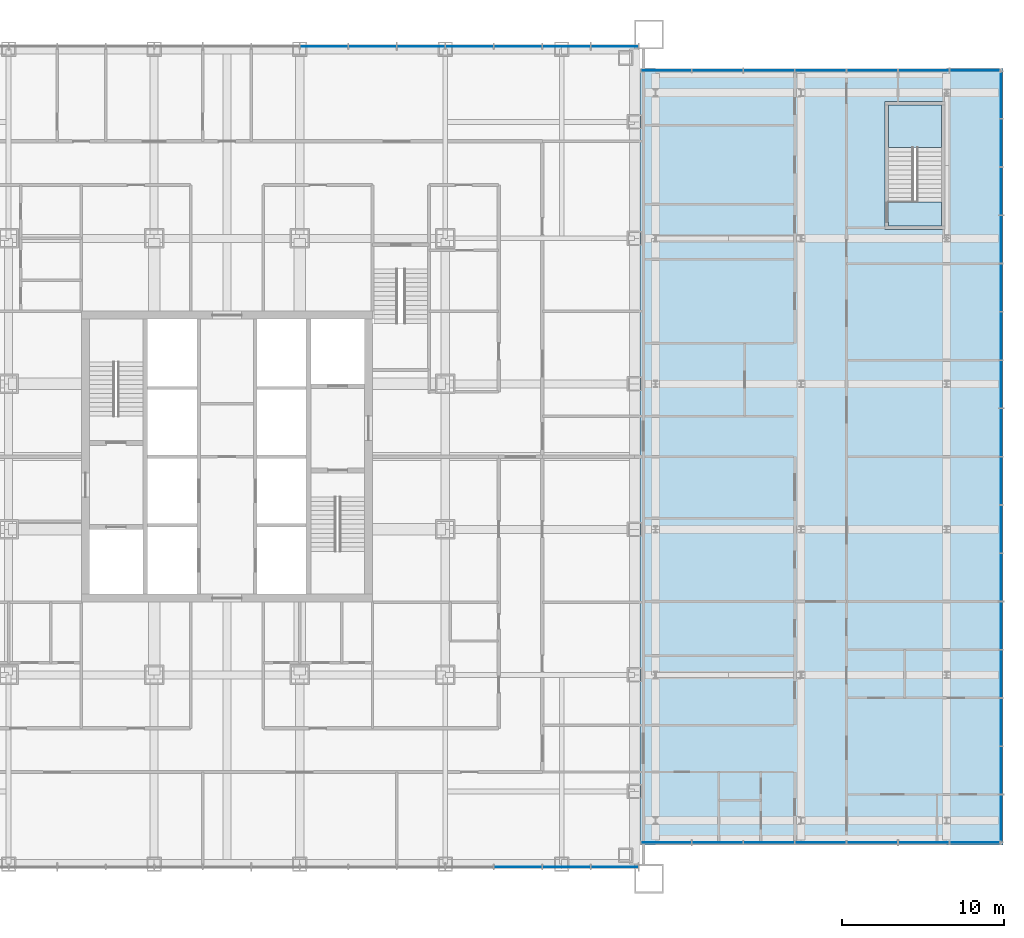
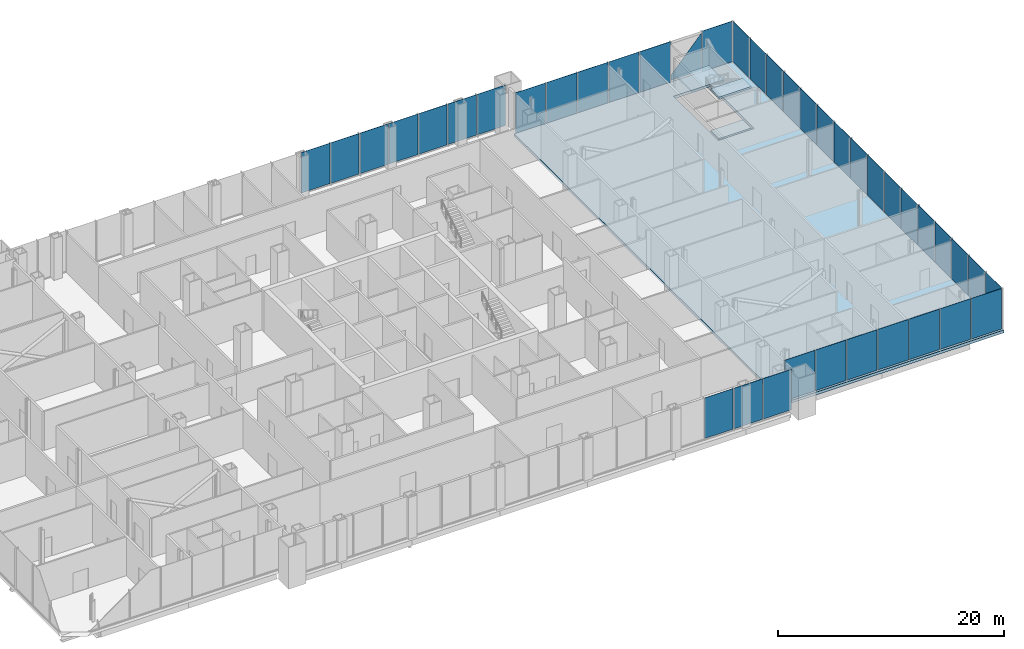
# One storey, part 14 of 25: 40 plates, 4 slabs, 6 elements without a shape of their own.
"""IFC4 building model written with IfcOpenShell, lengths in metres."""

import ifcopenshell
import ifcopenshell.guid

model = None  # the IFC model being written
_history = None  # IfcOwnerHistory: only IFC2X3 demands one
_inside = {}  # id of a spatial element -> (the spatial element, [elements in it])
_under = {}  # id of a project, library or spatial element -> (it, [spatial elements below it])
_declared = {}  # id of a project -> (the project, [libraries it declares])
_typed = {}  # id of a type object -> (the type object, [elements of that type])
_made_of = {}  # id of a material, layer set ... -> (it, [elements and type objects made of it])


def new_model(schema):
    """Start an empty IFC model of exactly this schema.

    Asked for "IFC4X3", IfcOpenShell would pick the latest addendum, in which some entities
    have other attributes; the version numbers below select the first issue.
    IFC2X3 requires an IfcOwnerHistory on every rooted entity: one is made here for all.
    """
    global model, _history
    if schema == "IFC4X3":
        model = ifcopenshell.file(schema_version=(4, 3, 0, 0))
    else:
        model = ifcopenshell.file(schema=schema)
    _inside.clear()
    _under.clear()
    _declared.clear()
    _typed.clear()
    _made_of.clear()
    _history = None
    if model.schema == "IFC2X3":
        org = make("IfcOrganization", Name="unknown")
        user = make(
            "IfcPersonAndOrganization",
            ThePerson=make("IfcPerson", FamilyName="unknown"),
            TheOrganization=org,
        )
        app = make(
            "IfcApplication",
            ApplicationDeveloper=org,
            Version="unknown",
            ApplicationFullName="unknown",
            ApplicationIdentifier="unknown",
        )
        _history = make(
            "IfcOwnerHistory",
            OwningUser=user,
            OwningApplication=app,
            ChangeAction="ADDED",
            CreationDate=0,
        )
    return model


def make(cls, **values):
    """One entity of the class cls with the attributes given. An attribute that is None is left unset."""
    return model.create_entity(
        cls, **{name: value for name, value in values.items() if value is not None}
    )


def rooted(cls, **values):
    """An entity with a GlobalId (a new one), such as an element, a storey or a relation."""
    return make(cls, GlobalId=ifcopenshell.guid.new(), OwnerHistory=_history, **values)


def si_unit(unit_type, name, prefix=None):
    """IfcSIUnit, for example si_unit("LENGTHUNIT", "METRE", prefix="MILLI")."""
    return make("IfcSIUnit", UnitType=unit_type, Prefix=prefix, Name=name)


def assignment(units):
    """IfcUnitAssignment: the units of a project."""
    return None if units is None else make("IfcUnitAssignment", Units=units)


def point(xyz):
    """IfcCartesianPoint."""
    return None if xyz is None else make("IfcCartesianPoint", Coordinates=xyz)


def direction(xyz):
    """IfcDirection."""
    return None if xyz is None else make("IfcDirection", DirectionRatios=xyz)


def frame(location, z_axis=None, x_axis=None):
    """IfcAxis2Placement3D, a coordinate frame: its origin and axes. An axis left out is left unset."""
    return make(
        "IfcAxis2Placement3D",
        Location=point(location),
        Axis=direction(z_axis),
        RefDirection=direction(x_axis),
    )


def frame_2d(location, x_axis=None):
    """IfcAxis2Placement2D, a coordinate frame in the plane: its origin and x axis."""
    return make(
        "IfcAxis2Placement2D", Location=point(location), RefDirection=direction(x_axis)
    )


def origin():
    """The frame at (0, 0, 0) with its axes left unset."""
    return frame((0.0, 0.0, 0.0))


def origin_2d():
    """The frame at (0, 0) in the plane with its x axis left unset."""
    return frame_2d((0.0, 0.0))


def place(relative_to, where):
    """IfcLocalPlacement: puts the frame where relative to a parent placement (None: the world)."""
    return make(
        "IfcLocalPlacement", PlacementRelTo=relative_to, RelativePlacement=where
    )


def context(
    kind, dimensions, precision=None, world=None, true_north=None, identifier=None
):
    """IfcGeometricRepresentationContext, for example the 3D "Model" context."""
    return make(
        "IfcGeometricRepresentationContext",
        ContextIdentifier=identifier,
        ContextType=kind,
        CoordinateSpaceDimension=dimensions,
        Precision=precision,
        WorldCoordinateSystem=world,
        TrueNorth=true_north,
    )


def subcontext(parent, identifier, kind, view, scale=None):
    """IfcGeometricRepresentationSubContext, for example "Body" below "Model"."""
    return make(
        "IfcGeometricRepresentationSubContext",
        ContextIdentifier=identifier,
        ContextType=kind,
        ParentContext=parent,
        TargetScale=scale,
        TargetView=view,
    )


def project(units=None, contexts=None):
    """IfcProject with its units and contexts."""
    return rooted(
        "IfcProject",
        Name="project",
        RepresentationContexts=contexts,
        UnitsInContext=assignment(units),
    )


def spatial(cls, under=None, at=None, **own):
    """A site, building, storey or space (cls), placed at a placement, below another one or the project."""
    s = rooted(cls, ObjectPlacement=at, **own)
    if under is not None:
        _under.setdefault(under.id(), (under, []))[1].append(s)
    return s


def polyline(points):
    """IfcPolyline through the points."""
    return make("IfcPolyline", Points=[point(p) for p in points])


def profile(cls, at=None, kind="AREA", **sizes):
    """A parametric profile (cls). Its sizes go by their IFC names, for example OverallWidth=200.0."""
    return make(cls, ProfileType=kind, Position=at, **sizes)


def rectangle(**sizes):
    """IfcRectangleProfileDef."""
    return profile("IfcRectangleProfileDef", **sizes)


def outline(outer, holes=None, kind="AREA"):
    """IfcArbitraryClosedProfileDef: a profile drawn as a closed curve; with holes, ...WithVoids."""
    if holes is None:
        return make("IfcArbitraryClosedProfileDef", ProfileType=kind, OuterCurve=outer)
    return make(
        "IfcArbitraryProfileDefWithVoids",
        ProfileType=kind,
        OuterCurve=outer,
        InnerCurves=holes,
    )


def extrude(swept, where, along, depth):
    """IfcExtrudedAreaSolid: the profile swept, set in the frame where, extruded along a direction by depth."""
    return make(
        "IfcExtrudedAreaSolid",
        SweptArea=swept,
        Position=where,
        ExtrudedDirection=direction(along),
        Depth=depth,
    )


def shape(context_of_items, identifier, shape_type, items):
    """IfcShapeRepresentation: the items that make up one representation, for example the "Body"."""
    return make(
        "IfcShapeRepresentation",
        ContextOfItems=context_of_items,
        RepresentationIdentifier=identifier,
        RepresentationType=shape_type,
        Items=items,
    )


def material(Name=None, Category=None):
    """IfcMaterial."""
    return make("IfcMaterial", Name=Name, Category=Category)


def layer(
    of_material, thickness, ventilated=None, Name=None, Category=None, Priority=None
):
    """IfcMaterialLayer: one layer of a wall or slab, of a material (None: an air gap)."""
    return make(
        "IfcMaterialLayer",
        Material=of_material,
        LayerThickness=thickness,
        IsVentilated=ventilated,
        Name=Name,
        Category=Category,
        Priority=Priority,
    )


def layer_set(layers, Name=None):
    """IfcMaterialLayerSet."""
    return make("IfcMaterialLayerSet", MaterialLayers=layers, LayerSetName=Name)


def made_of(thing, what):
    """Note that an element or type object is made of a material, layer set ...; save() writes the relation."""
    if what is not None:
        _made_of.setdefault(what.id(), (what, []))[1].append(thing)
    return thing


def type_object(cls, material=None, **own):
    """A type object (cls), such as IfcWallType, which elements share."""
    return made_of(rooted(cls, **own), material)


def element(
    cls,
    number,
    at=None,
    inside=None,
    cuts=None,
    type_object=None,
    material=None,
    context=None,
    identifier="Body",
    shape_type=None,
    held_by="IfcProductDefinitionShape",
    body=None,
    shapes=None,
    **own,
):
    """One element of the class cls, such as IfcWall. Its Tag is "e" and its number.

    at: its placement. inside: the storey or other place that contains it. cuts: it is an
    opening in that element (IfcRelVoidsElement). A single representation is given by context,
    identifier, shape_type and body (its items); several are given by shapes. held_by: the class
    of the entity that holds the representations. save() writes the other relations.
    """
    e = rooted(cls, Tag="e%d" % number, ObjectPlacement=at, **own)
    if body is not None:
        shapes = [shape(context, identifier, shape_type, body)]
    if shapes is not None:
        e.Representation = make(held_by, Representations=shapes)
    if inside is not None:
        _inside.setdefault(inside.id(), (inside, []))[1].append(e)
    if cuts is not None:
        rooted(
            "IfcRelVoidsElement", RelatingBuildingElement=cuts, RelatedOpeningElement=e
        )
    if type_object is not None:
        _typed.setdefault(type_object.id(), (type_object, []))[1].append(e)
    return made_of(e, material)


def aggregate(whole, parts):
    """IfcRelAggregates: a whole, such as a stair, and the parts it consists of."""
    return rooted("IfcRelAggregates", RelatingObject=whole, RelatedObjects=parts)


def save(model, path):
    """Write the relations noted so far, then the file.

    IfcRelAggregates (storeys below a building ...), IfcRelContainedInSpatialStructure (elements
    in a storey), IfcRelDefinesByType, IfcRelAssociatesMaterial and IfcRelDeclares: one each for
    every whole, place, type object, material and project.
    """
    for whole, parts in _under.values():
        aggregate(whole, parts)
    for where, things in _inside.values():
        rooted(
            "IfcRelContainedInSpatialStructure",
            RelatedElements=things,
            RelatingStructure=where,
        )
    for kind, things in _typed.values():
        rooted("IfcRelDefinesByType", RelatedObjects=things, RelatingType=kind)
    for what, things in _made_of.values():
        rooted("IfcRelAssociatesMaterial", RelatedObjects=things, RelatingMaterial=what)
    for by, libraries in _declared.values():
        rooted("IfcRelDeclares", RelatingContext=by, RelatedDefinitions=libraries)
    model.write(path)


model = new_model("IFC4")

# Units and contexts
model_context = context("Model", 3, precision=1e-05, world=origin(), true_north=direction((0.0, 1.0)))
body_context = subcontext(model_context, "Body", "Model", "MODEL_VIEW")
ifc_project = project(units=[si_unit("LENGTHUNIT", "METRE"), si_unit("AREAUNIT", "SQUARE_METRE"), si_unit("VOLUMEUNIT", "CUBIC_METRE"), si_unit("PLANEANGLEUNIT", "RADIAN"), si_unit("MASSUNIT", "GRAM", prefix="KILO")], contexts=[model_context])

# Site, building, storey
site_placement = place(None, origin())
site = spatial("IfcSite", under=ifc_project, at=site_placement, CompositionType="ELEMENT")
building_placement = place(site_placement, origin())
building = spatial("IfcBuilding", under=site, at=building_placement, Name="Malebo Sky Hospital", CompositionType="ELEMENT")
storey_placement = place(building_placement, frame((0.0, 0.0, 16.5)))
storey = spatial("IfcBuildingStorey", under=building, at=storey_placement, Name="L03", CompositionType="ELEMENT", Elevation=16.5)

# Slab
ifc_material_1 = material(Name="Concrete C40/50", Category="concrete")
ifc_layer_1 = layer(ifc_material_1, 0.300048828125)
ifc_layer_set_1 = layer_set([ifc_layer_1], Name="COMPOSITE FLOOR SLAB 300")
slab_type_1 = type_object("IfcSlabType", Name="COMPOSITE FLOOR SLAB 300", PredefinedType="FLOOR", material=ifc_layer_set_1)
slab_1_placement = place(storey_placement, frame((0.0, 0.0, -0.300048828125)))
element("IfcSlab", 1, at=slab_1_placement, inside=storey, type_object=slab_type_1, Name="Floor slab L03 east wing", PredefinedType="FLOOR", context=body_context, shape_type="SweptSolid", body=[
    extrude(outline(polyline([(108.0, 38.0), (108.0, 86.0), (85.550048828125, 86.0), (85.550048828125, 38.0), (108.0, 38.0)]), holes=[polyline([(104.39990234375, 76.050048828125), (100.699951171875, 76.050048828125), (100.699951171875, 83.949951171875), (104.39990234375, 83.949951171875), (104.39990234375, 76.050048828125)])]), origin(), (0.0, 0.0, 1.0), 0.300048828125),
])

# Stair, slabs
stair_type = type_object("IfcStairType", Name="HALF-TURN STAIR 1500 R173", PredefinedType="HALF_TURN_STAIR", material=ifc_material_1)
stair_placement = place(storey_placement, origin())
stair = element("IfcStair", 2, at=stair_placement, inside=storey, type_object=stair_type, Name="Stair ES L03 type ST3", PredefinedType="HALF_TURN_STAIR")
ifc_layer_2 = layer(ifc_material_1, 0.199951171875)
ifc_layer_set_2 = layer_set([ifc_layer_2], Name="STAIR LANDING 200")
slab_type_2 = type_object("IfcSlabType", Name="STAIR LANDING 200", PredefinedType="LANDING", material=ifc_layer_set_2)
slab_2_placement = place(storey_placement, frame((0.0, 0.0, -0.199951171875)))
slab_2 = element("IfcSlab", 3, at=slab_2_placement, type_object=slab_type_2, Name="ES landing 1", PredefinedType="LANDING", context=body_context, shape_type="SweptSolid", body=[
    extrude(outline(polyline([(100.89990234375, 76.25), (104.199951171875, 76.25), (104.199951171875, 77.75), (100.89990234375, 77.75), (100.89990234375, 76.25)])), origin(), (0.0, 0.0, 1.0), 0.199951171875),
])
slab_3_placement = place(storey_placement, frame((0.0, 0.0, 2.050048828125)))
slab_3 = element("IfcSlab", 4, at=slab_3_placement, type_object=slab_type_2, Name="ES landing 2", PredefinedType="LANDING", context=body_context, shape_type="SweptSolid", body=[
    extrude(outline(polyline([(100.89990234375, 81.110107421875), (104.199951171875, 81.110107421875), (104.199951171875, 83.75), (100.89990234375, 83.75), (100.89990234375, 81.110107421875)])), origin(), (0.0, 0.0, 1.0), 0.199951171875),
])
slab_4_placement = place(storey_placement, frame((0.0, 0.0, 4.300048828125)))
slab_4 = element("IfcSlab", 5, at=slab_4_placement, type_object=slab_type_2, Name="ES landing 3", PredefinedType="LANDING", context=body_context, shape_type="SweptSolid", body=[
    extrude(outline(polyline([(100.89990234375, 76.25), (104.199951171875, 76.25), (104.199951171875, 77.75), (100.89990234375, 77.75), (100.89990234375, 76.25)])), origin(), (0.0, 0.0, 1.0), 0.199951171875),
])
aggregate(stair, [slab_2, slab_3, slab_4])

# Curtain wall, plates
ifc_material_2 = material(Name="Anodised aluminium, natural silver", Category="aluminium")
ifc_layer_3 = layer(ifc_material_2, 0.25)
ifc_layer_set_3 = layer_set([ifc_layer_3], Name="PODIUM ENTRANCE BAY CURTAIN WALL")
curtain_wall_type_1 = type_object("IfcCurtainWallType", Name="PODIUM ENTRANCE BAY CURTAIN WALL", PredefinedType="NOTDEFINED", material=ifc_layer_set_3)
curtain_wall_1_placement = place(storey_placement, origin())
curtain_wall_1 = element("IfcCurtainWall", 6, at=curtain_wall_1_placement, inside=storey, type_object=curtain_wall_type_1, Name="BAY curtain wall BS", PredefinedType="NOTDEFINED")
ifc_material_3 = material(Name="Clear low-iron double glazing", Category="glass")
ifc_layer_4 = layer(ifc_material_3, 0.031982421875)
ifc_layer_set_4 = layer_set([ifc_layer_4], Name="VISION PANEL CLEAR 32")
plate_type = type_object("IfcPlateType", Name="VISION PANEL CLEAR 32", PredefinedType="CURTAIN_PANEL", material=ifc_layer_set_4)
plate_1_placement = place(storey_placement, frame((78.0, 36.625, 0.10009765625), z_axis=(0.0, 0.0, 1.0), x_axis=(1.0, 0.0, 0.0)))
plate_1 = element("IfcPlate", 7, at=plate_1_placement, type_object=plate_type, Name="Panel 15", PredefinedType="CURTAIN_PANEL", context=body_context, shape_type="SweptSolid", body=[
    extrude(rectangle(XDim=2.925048828125, YDim=0.031982421875, at=origin_2d()), origin(), (0.0, 0.0, 1.0), 4.389892578125),
])
plate_2_placement = place(storey_placement, frame((81.0, 36.625, 0.10009765625), z_axis=(0.0, 0.0, 1.0), x_axis=(1.0, 0.0, 0.0)))
plate_2 = element("IfcPlate", 8, at=plate_2_placement, type_object=plate_type, Name="Panel 16", PredefinedType="CURTAIN_PANEL", context=body_context, shape_type="SweptSolid", body=[
    extrude(rectangle(XDim=2.925048828125, YDim=0.031982421875, at=origin_2d()), origin(), (0.0, 0.0, 1.0), 4.389892578125),
])
plate_3_placement = place(storey_placement, frame((83.981201171875, 36.625, 0.10009765625), z_axis=(0.0, 0.0, 1.0), x_axis=(1.0, 0.0, 0.0)))
plate_3 = element("IfcPlate", 9, at=plate_3_placement, type_object=plate_type, Name="Panel 17", PredefinedType="CURTAIN_PANEL", context=body_context, shape_type="SweptSolid", body=[
    extrude(rectangle(XDim=2.887451171875, YDim=0.031982421875, at=origin_2d()), origin(), (0.0, 0.0, 1.0), 4.389892578125),
])
aggregate(curtain_wall_1, [plate_1, plate_2, plate_3])

curtain_wall_2_placement = place(storey_placement, origin())
curtain_wall_2 = element("IfcCurtainWall", 10, at=curtain_wall_2_placement, inside=storey, type_object=curtain_wall_type_1, Name="BAY curtain wall BN", PredefinedType="NOTDEFINED")
plate_4_placement = place(storey_placement, frame((83.981201171875, 87.375, 0.10009765625), z_axis=(0.0, 0.0, 1.0), x_axis=(-1.0, 0.0, 0.0)))
plate_4 = element("IfcPlate", 11, at=plate_4_placement, type_object=plate_type, Name="Panel 1", PredefinedType="CURTAIN_PANEL", context=body_context, shape_type="SweptSolid", body=[
    extrude(rectangle(XDim=2.887451171875, YDim=0.031982421875, at=origin_2d()), origin(), (0.0, 0.0, 1.0), 4.389892578125),
])
plate_5_placement = place(storey_placement, frame((81.0, 87.375, 0.10009765625), z_axis=(0.0, 0.0, 1.0), x_axis=(-1.0, 0.0, 0.0)))
plate_5 = element("IfcPlate", 12, at=plate_5_placement, type_object=plate_type, Name="Panel 2", PredefinedType="CURTAIN_PANEL", context=body_context, shape_type="SweptSolid", body=[
    extrude(rectangle(XDim=2.925048828125, YDim=0.031982421875, at=origin_2d()), origin(), (0.0, 0.0, 1.0), 4.389892578125),
])
plate_6_placement = place(storey_placement, frame((78.0, 87.375, 0.10009765625), z_axis=(0.0, 0.0, 1.0), x_axis=(-1.0, 0.0, 0.0)))
plate_6 = element("IfcPlate", 13, at=plate_6_placement, type_object=plate_type, Name="Panel 3", PredefinedType="CURTAIN_PANEL", context=body_context, shape_type="SweptSolid", body=[
    extrude(rectangle(XDim=2.925048828125, YDim=0.031982421875, at=origin_2d()), origin(), (0.0, 0.0, 1.0), 4.389892578125),
])
plate_7_placement = place(storey_placement, frame((75.0, 87.375, 0.10009765625), z_axis=(0.0, 0.0, 1.0), x_axis=(-1.0, 0.0, 0.0)))
plate_7 = element("IfcPlate", 14, at=plate_7_placement, type_object=plate_type, Name="Panel 4", PredefinedType="CURTAIN_PANEL", context=body_context, shape_type="SweptSolid", body=[
    extrude(rectangle(XDim=2.925048828125, YDim=0.031982421875, at=origin_2d()), origin(), (0.0, 0.0, 1.0), 4.389892578125),
])
plate_8_placement = place(storey_placement, frame((72.0, 87.375, 0.10009765625), z_axis=(0.0, 0.0, 1.0), x_axis=(-1.0, 0.0, 0.0)))
plate_8 = element("IfcPlate", 15, at=plate_8_placement, type_object=plate_type, Name="Panel 5", PredefinedType="CURTAIN_PANEL", context=body_context, shape_type="SweptSolid", body=[
    extrude(rectangle(XDim=2.925048828125, YDim=0.031982421875, at=origin_2d()), origin(), (0.0, 0.0, 1.0), 4.389892578125),
])
plate_9_placement = place(storey_placement, frame((69.0, 87.375, 0.10009765625), z_axis=(0.0, 0.0, 1.0), x_axis=(-1.0, 0.0, 0.0)))
plate_9 = element("IfcPlate", 16, at=plate_9_placement, type_object=plate_type, Name="Panel 6", PredefinedType="CURTAIN_PANEL", context=body_context, shape_type="SweptSolid", body=[
    extrude(rectangle(XDim=2.925048828125, YDim=0.031982421875, at=origin_2d()), origin(), (0.0, 0.0, 1.0), 4.389892578125),
])
plate_10_placement = place(storey_placement, frame((66.0, 87.375, 0.10009765625), z_axis=(0.0, 0.0, 1.0), x_axis=(-1.0, 0.0, 0.0)))
plate_10 = element("IfcPlate", 17, at=plate_10_placement, type_object=plate_type, Name="Panel 7", PredefinedType="CURTAIN_PANEL", context=body_context, shape_type="SweptSolid", body=[
    extrude(rectangle(XDim=2.925048828125, YDim=0.031982421875, at=origin_2d()), origin(), (0.0, 0.0, 1.0), 4.389892578125),
])
aggregate(curtain_wall_2, [plate_4, plate_5, plate_6, plate_7, plate_8, plate_9, plate_10])

ifc_layer_5 = layer(ifc_material_2, 0.25)
ifc_layer_set_5 = layer_set([ifc_layer_5], Name="PODIUM CURTAIN WALL")
curtain_wall_type_2 = type_object("IfcCurtainWallType", Name="PODIUM CURTAIN WALL", PredefinedType="NOTDEFINED", material=ifc_layer_set_5)
curtain_wall_3_placement = place(storey_placement, origin())
curtain_wall_3 = element("IfcCurtainWall", 18, at=curtain_wall_3_placement, inside=storey, type_object=curtain_wall_type_2, Name="POD curtain wall ES", PredefinedType="NOTDEFINED")
plate_11_placement = place(storey_placement, frame((87.163330078125, 38.125, 0.10009765625), z_axis=(0.0, 0.0, 1.0), x_axis=(1.0, 0.0, 0.0)))
plate_11 = element("IfcPlate", 19, at=plate_11_placement, type_object=plate_type, Name="Panel 1", PredefinedType="CURTAIN_PANEL", context=body_context, shape_type="SweptSolid", body=[
    extrude(rectangle(XDim=3.076904296875, YDim=0.031982421875, at=origin_2d()), origin(), (0.0, 0.0, 1.0), 4.389892578125),
])
plate_12_placement = place(storey_placement, frame((90.333984375, 38.125, 0.10009765625), z_axis=(0.0, 0.0, 1.0), x_axis=(1.0, 0.0, 0.0)))
plate_12 = element("IfcPlate", 20, at=plate_12_placement, type_object=plate_type, Name="Panel 2", PredefinedType="CURTAIN_PANEL", context=body_context, shape_type="SweptSolid", body=[
    extrude(rectangle(XDim=3.1142578125, YDim=0.031982421875, at=origin_2d()), origin(), (0.0, 0.0, 1.0), 4.389892578125),
])
plate_13_placement = place(storey_placement, frame((93.523193359375, 38.125, 0.10009765625), z_axis=(0.0, 0.0, 1.0), x_axis=(1.0, 0.0, 0.0)))
plate_13 = element("IfcPlate", 21, at=plate_13_placement, type_object=plate_type, Name="Panel 3", PredefinedType="CURTAIN_PANEL", context=body_context, shape_type="SweptSolid", body=[
    extrude(rectangle(XDim=3.1142578125, YDim=0.031982421875, at=origin_2d()), origin(), (0.0, 0.0, 1.0), 4.389892578125),
])
plate_14_placement = place(storey_placement, frame((96.71240234375, 38.125, 0.10009765625), z_axis=(0.0, 0.0, 1.0), x_axis=(1.0, 0.0, 0.0)))
plate_14 = element("IfcPlate", 22, at=plate_14_placement, type_object=plate_type, Name="Panel 4", PredefinedType="CURTAIN_PANEL", context=body_context, shape_type="SweptSolid", body=[
    extrude(rectangle(XDim=3.1142578125, YDim=0.031982421875, at=origin_2d()), origin(), (0.0, 0.0, 1.0), 4.389892578125),
])
plate_15_placement = place(storey_placement, frame((99.90185546875, 38.125, 0.10009765625), z_axis=(0.0, 0.0, 1.0), x_axis=(1.0, 0.0, 0.0)))
plate_15 = element("IfcPlate", 23, at=plate_15_placement, type_object=plate_type, Name="Panel 5", PredefinedType="CURTAIN_PANEL", context=body_context, shape_type="SweptSolid", body=[
    extrude(rectangle(XDim=3.1142578125, YDim=0.031982421875, at=origin_2d()), origin(), (0.0, 0.0, 1.0), 4.389892578125),
])
plate_16_placement = place(storey_placement, frame((103.091064453125, 38.125, 0.10009765625), z_axis=(0.0, 0.0, 1.0), x_axis=(1.0, 0.0, 0.0)))
plate_16 = element("IfcPlate", 24, at=plate_16_placement, type_object=plate_type, Name="Panel 6", PredefinedType="CURTAIN_PANEL", context=body_context, shape_type="SweptSolid", body=[
    extrude(rectangle(XDim=3.1142578125, YDim=0.031982421875, at=origin_2d()), origin(), (0.0, 0.0, 1.0), 4.389892578125),
])
plate_17_placement = place(storey_placement, frame((106.26171875, 38.125, 0.10009765625), z_axis=(0.0, 0.0, 1.0), x_axis=(1.0, 0.0, 0.0)))
plate_17 = element("IfcPlate", 25, at=plate_17_placement, type_object=plate_type, Name="Panel 7", PredefinedType="CURTAIN_PANEL", context=body_context, shape_type="SweptSolid", body=[
    extrude(rectangle(XDim=3.076904296875, YDim=0.031982421875, at=origin_2d()), origin(), (0.0, 0.0, 1.0), 4.389892578125),
])
aggregate(curtain_wall_3, [plate_11, plate_12, plate_13, plate_14, plate_15, plate_16, plate_17])

curtain_wall_4_placement = place(storey_placement, origin())
curtain_wall_4 = element("IfcCurtainWall", 26, at=curtain_wall_4_placement, inside=storey, type_object=curtain_wall_type_2, Name="POD curtain wall EE", PredefinedType="NOTDEFINED")
plate_18_placement = place(storey_placement, frame((107.875, 39.635986328125, 0.10009765625), z_axis=(0.0, 0.0, 1.0), x_axis=(0.0, 1.0, 0.0)))
plate_18 = element("IfcPlate", 27, at=plate_18_placement, type_object=plate_type, Name="Panel 1", PredefinedType="CURTAIN_PANEL", context=body_context, shape_type="SweptSolid", body=[
    extrude(rectangle(XDim=2.871826171875, YDim=0.031982421875, at=origin_2d()), origin(), (0.0, 0.0, 1.0), 4.389892578125),
])
plate_19_placement = place(storey_placement, frame((107.875, 42.6015625, 0.10009765625), z_axis=(0.0, 0.0, 1.0), x_axis=(0.0, 1.0, 0.0)))
plate_19 = element("IfcPlate", 28, at=plate_19_placement, type_object=plate_type, Name="Panel 2", PredefinedType="CURTAIN_PANEL", context=body_context, shape_type="SweptSolid", body=[
    extrude(rectangle(XDim=2.909423828125, YDim=0.031982421875, at=origin_2d()), origin(), (0.0, 0.0, 1.0), 4.389892578125),
])
plate_20_placement = place(storey_placement, frame((107.875, 45.5859375, 0.10009765625), z_axis=(0.0, 0.0, 1.0), x_axis=(0.0, 1.0, 0.0)))
plate_20 = element("IfcPlate", 29, at=plate_20_placement, type_object=plate_type, Name="Panel 3", PredefinedType="CURTAIN_PANEL", context=body_context, shape_type="SweptSolid", body=[
    extrude(rectangle(XDim=2.9091796875, YDim=0.031982421875, at=origin_2d()), origin(), (0.0, 0.0, 1.0), 4.389892578125),
])
plate_21_placement = place(storey_placement, frame((107.875, 48.5703125, 0.10009765625), z_axis=(0.0, 0.0, 1.0), x_axis=(0.0, 1.0, 0.0)))
plate_21 = element("IfcPlate", 30, at=plate_21_placement, type_object=plate_type, Name="Panel 4", PredefinedType="CURTAIN_PANEL", context=body_context, shape_type="SweptSolid", body=[
    extrude(rectangle(XDim=2.909423828125, YDim=0.031982421875, at=origin_2d()), origin(), (0.0, 0.0, 1.0), 4.389892578125),
])
plate_22_placement = place(storey_placement, frame((107.875, 51.5546875, 0.10009765625), z_axis=(0.0, 0.0, 1.0), x_axis=(0.0, 1.0, 0.0)))
plate_22 = element("IfcPlate", 31, at=plate_22_placement, type_object=plate_type, Name="Panel 5", PredefinedType="CURTAIN_PANEL", context=body_context, shape_type="SweptSolid", body=[
    extrude(rectangle(XDim=2.909423828125, YDim=0.031982421875, at=origin_2d()), origin(), (0.0, 0.0, 1.0), 4.389892578125),
])
plate_23_placement = place(storey_placement, frame((107.875, 54.5390625, 0.10009765625), z_axis=(0.0, 0.0, 1.0), x_axis=(0.0, 1.0, 0.0)))
plate_23 = element("IfcPlate", 32, at=plate_23_placement, type_object=plate_type, Name="Panel 6", PredefinedType="CURTAIN_PANEL", context=body_context, shape_type="SweptSolid", body=[
    extrude(rectangle(XDim=2.9091796875, YDim=0.031982421875, at=origin_2d()), origin(), (0.0, 0.0, 1.0), 4.389892578125),
])
plate_24_placement = place(storey_placement, frame((107.875, 57.5234375, 0.10009765625), z_axis=(0.0, 0.0, 1.0), x_axis=(0.0, 1.0, 0.0)))
plate_24 = element("IfcPlate", 33, at=plate_24_placement, type_object=plate_type, Name="Panel 7", PredefinedType="CURTAIN_PANEL", context=body_context, shape_type="SweptSolid", body=[
    extrude(rectangle(XDim=2.909423828125, YDim=0.031982421875, at=origin_2d()), origin(), (0.0, 0.0, 1.0), 4.389892578125),
])
plate_25_placement = place(storey_placement, frame((107.875, 60.5078125, 0.10009765625), z_axis=(0.0, 0.0, 1.0), x_axis=(0.0, 1.0, 0.0)))
plate_25 = element("IfcPlate", 34, at=plate_25_placement, type_object=plate_type, Name="Panel 8", PredefinedType="CURTAIN_PANEL", context=body_context, shape_type="SweptSolid", body=[
    extrude(rectangle(XDim=2.909423828125, YDim=0.031982421875, at=origin_2d()), origin(), (0.0, 0.0, 1.0), 4.389892578125),
])
plate_26_placement = place(storey_placement, frame((107.875, 63.4921875, 0.10009765625), z_axis=(0.0, 0.0, 1.0), x_axis=(0.0, 1.0, 0.0)))
plate_26 = element("IfcPlate", 35, at=plate_26_placement, type_object=plate_type, Name="Panel 9", PredefinedType="CURTAIN_PANEL", context=body_context, shape_type="SweptSolid", body=[
    extrude(rectangle(XDim=2.909423828125, YDim=0.031982421875, at=origin_2d()), origin(), (0.0, 0.0, 1.0), 4.389892578125),
])
plate_27_placement = place(storey_placement, frame((107.875, 66.4765625, 0.10009765625), z_axis=(0.0, 0.0, 1.0), x_axis=(0.0, 1.0, 0.0)))
plate_27 = element("IfcPlate", 36, at=plate_27_placement, type_object=plate_type, Name="Panel 10", PredefinedType="CURTAIN_PANEL", context=body_context, shape_type="SweptSolid", body=[
    extrude(rectangle(XDim=2.909423828125, YDim=0.031982421875, at=origin_2d()), origin(), (0.0, 0.0, 1.0), 4.389892578125),
])
plate_28_placement = place(storey_placement, frame((107.875, 69.4609375, 0.10009765625), z_axis=(0.0, 0.0, 1.0), x_axis=(0.0, 1.0, 0.0)))
plate_28 = element("IfcPlate", 37, at=plate_28_placement, type_object=plate_type, Name="Panel 11", PredefinedType="CURTAIN_PANEL", context=body_context, shape_type="SweptSolid", body=[
    extrude(rectangle(XDim=2.9091796875, YDim=0.031982421875, at=origin_2d()), origin(), (0.0, 0.0, 1.0), 4.389892578125),
])
plate_29_placement = place(storey_placement, frame((107.875, 72.4453125, 0.10009765625), z_axis=(0.0, 0.0, 1.0), x_axis=(0.0, 1.0, 0.0)))
plate_29 = element("IfcPlate", 38, at=plate_29_placement, type_object=plate_type, Name="Panel 12", PredefinedType="CURTAIN_PANEL", context=body_context, shape_type="SweptSolid", body=[
    extrude(rectangle(XDim=2.909423828125, YDim=0.031982421875, at=origin_2d()), origin(), (0.0, 0.0, 1.0), 4.389892578125),
])
plate_30_placement = place(storey_placement, frame((107.875, 75.4296875, 0.10009765625), z_axis=(0.0, 0.0, 1.0), x_axis=(0.0, 1.0, 0.0)))
plate_30 = element("IfcPlate", 39, at=plate_30_placement, type_object=plate_type, Name="Panel 13", PredefinedType="CURTAIN_PANEL", context=body_context, shape_type="SweptSolid", body=[
    extrude(rectangle(XDim=2.909423828125, YDim=0.031982421875, at=origin_2d()), origin(), (0.0, 0.0, 1.0), 4.389892578125),
])
plate_31_placement = place(storey_placement, frame((107.875, 78.4140625, 0.10009765625), z_axis=(0.0, 0.0, 1.0), x_axis=(0.0, 1.0, 0.0)))
plate_31 = element("IfcPlate", 40, at=plate_31_placement, type_object=plate_type, Name="Panel 14", PredefinedType="CURTAIN_PANEL", context=body_context, shape_type="SweptSolid", body=[
    extrude(rectangle(XDim=2.9091796875, YDim=0.031982421875, at=origin_2d()), origin(), (0.0, 0.0, 1.0), 4.389892578125),
])
plate_32_placement = place(storey_placement, frame((107.875, 81.3984375, 0.10009765625), z_axis=(0.0, 0.0, 1.0), x_axis=(0.0, 1.0, 0.0)))
plate_32 = element("IfcPlate", 41, at=plate_32_placement, type_object=plate_type, Name="Panel 15", PredefinedType="CURTAIN_PANEL", context=body_context, shape_type="SweptSolid", body=[
    extrude(rectangle(XDim=2.909423828125, YDim=0.031982421875, at=origin_2d()), origin(), (0.0, 0.0, 1.0), 4.389892578125),
])
plate_33_placement = place(storey_placement, frame((107.875, 84.364013671875, 0.10009765625), z_axis=(0.0, 0.0, 1.0), x_axis=(0.0, 1.0, 0.0)))
plate_33 = element("IfcPlate", 42, at=plate_33_placement, type_object=plate_type, Name="Panel 16", PredefinedType="CURTAIN_PANEL", context=body_context, shape_type="SweptSolid", body=[
    extrude(rectangle(XDim=2.871826171875, YDim=0.031982421875, at=origin_2d()), origin(), (0.0, 0.0, 1.0), 4.389892578125),
])
aggregate(curtain_wall_4, [plate_18, plate_19, plate_20, plate_21, plate_22, plate_23, plate_24, plate_25, plate_26, plate_27, plate_28, plate_29, plate_30, plate_31, plate_32, plate_33])

curtain_wall_5_placement = place(storey_placement, origin())
curtain_wall_5 = element("IfcCurtainWall", 43, at=curtain_wall_5_placement, inside=storey, type_object=curtain_wall_type_2, Name="POD curtain wall EN", PredefinedType="NOTDEFINED")
plate_34_placement = place(storey_placement, frame((106.26171875, 85.875, 0.10009765625), z_axis=(0.0, 0.0, 1.0), x_axis=(-1.0, 0.0, 0.0)))
plate_34 = element("IfcPlate", 44, at=plate_34_placement, type_object=plate_type, Name="Panel 1", PredefinedType="CURTAIN_PANEL", context=body_context, shape_type="SweptSolid", body=[
    extrude(rectangle(XDim=3.076904296875, YDim=0.031982421875, at=origin_2d()), origin(), (0.0, 0.0, 1.0), 4.389892578125),
])
plate_35_placement = place(storey_placement, frame((103.091064453125, 85.875, 0.26904296875), z_axis=(0.0, 0.0, 1.0), x_axis=(-1.0, 0.0, 0.0)))
plate_35 = element("IfcPlate", 45, at=plate_35_placement, type_object=plate_type, Name="Panel 2", PredefinedType="CURTAIN_PANEL", context=body_context, shape_type="SweptSolid", body=[
    extrude(outline(polyline([(-1.55712890625, 0.0), (1.55712890625, 0.0), (1.55712890625, 0.557861328125), (-1.55712890625, 4.039794921875), (-1.55712890625, 0.0)])), frame((0.0, 0.01611328125, 0.0), z_axis=(0.0, -1.0, 0.0), x_axis=(1.0, 0.0, 0.0)), (0.0, 0.0, 1.0), 0.031982421875),
])
plate_36_placement = place(storey_placement, frame((99.90185546875, 85.875, 0.10009765625), z_axis=(0.0, 0.0, 1.0), x_axis=(-1.0, 0.0, 0.0)))
plate_36 = element("IfcPlate", 46, at=plate_36_placement, type_object=plate_type, Name="Panel 3", PredefinedType="CURTAIN_PANEL", context=body_context, shape_type="SweptSolid", body=[
    extrude(rectangle(XDim=3.1142578125, YDim=0.031982421875, at=origin_2d()), origin(), (0.0, 0.0, 1.0), 4.389892578125),
])
plate_37_placement = place(storey_placement, frame((96.71240234375, 85.875, 0.10009765625), z_axis=(0.0, 0.0, 1.0), x_axis=(-1.0, 0.0, 0.0)))
plate_37 = element("IfcPlate", 47, at=plate_37_placement, type_object=plate_type, Name="Panel 4", PredefinedType="CURTAIN_PANEL", context=body_context, shape_type="SweptSolid", body=[
    extrude(rectangle(XDim=3.1142578125, YDim=0.031982421875, at=origin_2d()), origin(), (0.0, 0.0, 1.0), 4.389892578125),
])
plate_38_placement = place(storey_placement, frame((93.523193359375, 85.875, 0.10009765625), z_axis=(0.0, 0.0, 1.0), x_axis=(-1.0, 0.0, 0.0)))
plate_38 = element("IfcPlate", 48, at=plate_38_placement, type_object=plate_type, Name="Panel 5", PredefinedType="CURTAIN_PANEL", context=body_context, shape_type="SweptSolid", body=[
    extrude(rectangle(XDim=3.1142578125, YDim=0.031982421875, at=origin_2d()), origin(), (0.0, 0.0, 1.0), 4.389892578125),
])
plate_39_placement = place(storey_placement, frame((90.333984375, 85.875, 0.10009765625), z_axis=(0.0, 0.0, 1.0), x_axis=(-1.0, 0.0, 0.0)))
plate_39 = element("IfcPlate", 49, at=plate_39_placement, type_object=plate_type, Name="Panel 6", PredefinedType="CURTAIN_PANEL", context=body_context, shape_type="SweptSolid", body=[
    extrude(rectangle(XDim=3.1142578125, YDim=0.031982421875, at=origin_2d()), origin(), (0.0, 0.0, 1.0), 4.389892578125),
])
plate_40_placement = place(storey_placement, frame((87.163330078125, 85.875, 0.10009765625), z_axis=(0.0, 0.0, 1.0), x_axis=(-1.0, 0.0, 0.0)))
plate_40 = element("IfcPlate", 50, at=plate_40_placement, type_object=plate_type, Name="Panel 7", PredefinedType="CURTAIN_PANEL", context=body_context, shape_type="SweptSolid", body=[
    extrude(rectangle(XDim=3.076904296875, YDim=0.031982421875, at=origin_2d()), origin(), (0.0, 0.0, 1.0), 4.389892578125),
])
aggregate(curtain_wall_5, [plate_34, plate_35, plate_36, plate_37, plate_38, plate_39, plate_40])

save(model, "model.ifc")
